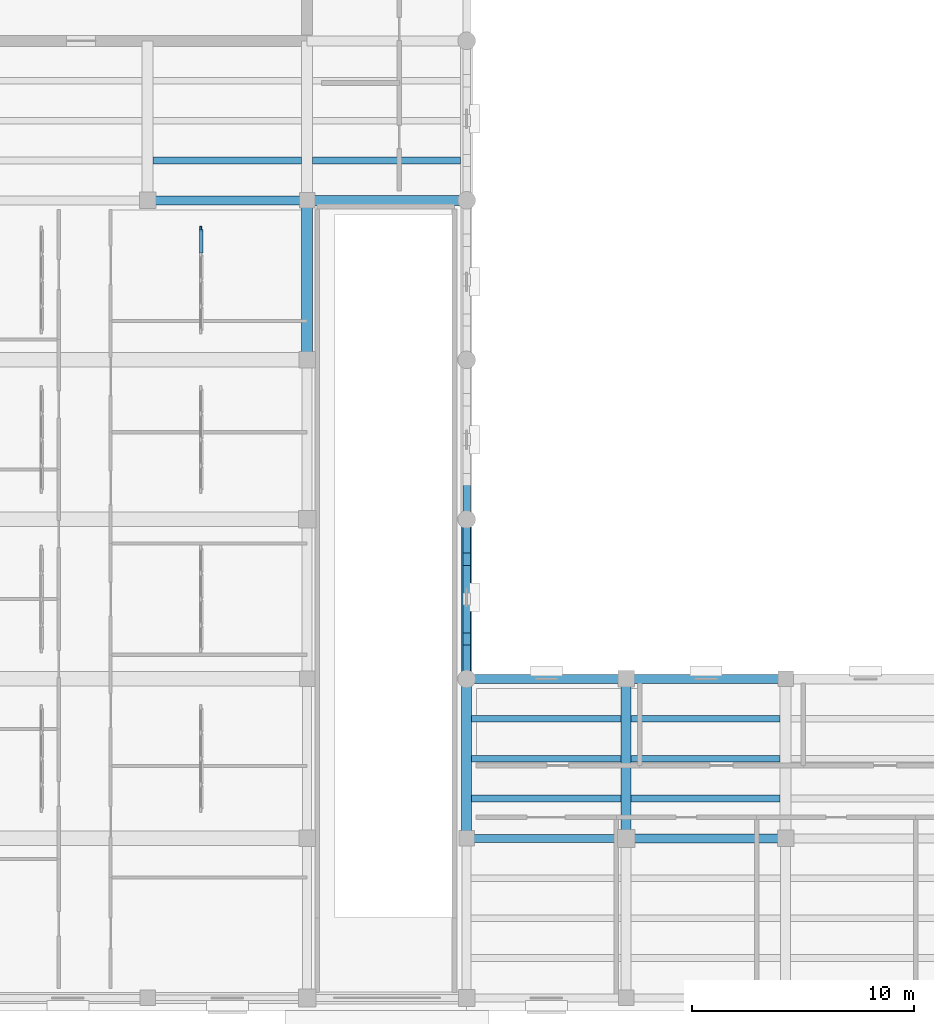
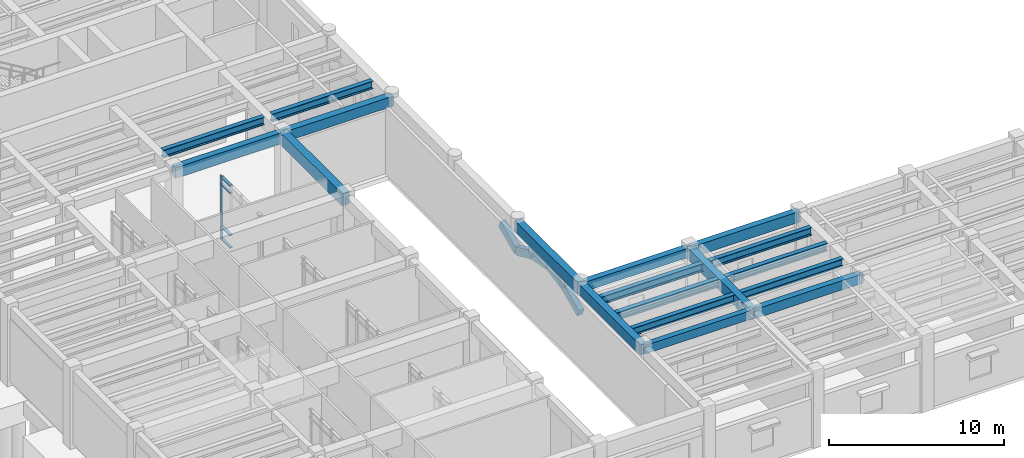
# One storey, part 12 of 100: 18 beams, 12 members, 1 element without a shape of its own.
"""IFC4 building model written with IfcOpenShell, lengths in metres."""

from ifc_helpers import new_model, si_unit, direction, frame, origin, origin_2d, place, context, subcontext, project, spatial, rectangle, i_section, extrude, material, material_profile, profile_set, type_object, element, aggregate, save


model = new_model("IFC4")

# Units and contexts
model_context = context("Model", 3, precision=1e-05, world=origin(), true_north=direction((0.0, 1.0)))
body_context = subcontext(model_context, "Body", "Model", "MODEL_VIEW")
ifc_project = project(units=[si_unit("LENGTHUNIT", "METRE"), si_unit("AREAUNIT", "SQUARE_METRE"), si_unit("VOLUMEUNIT", "CUBIC_METRE"), si_unit("PLANEANGLEUNIT", "RADIAN"), si_unit("MASSUNIT", "GRAM", prefix="KILO")], contexts=[model_context])

# Site, building, storey
site_placement = place(None, origin())
site = spatial("IfcSite", under=ifc_project, at=site_placement, CompositionType="ELEMENT")
building_placement = place(site_placement, origin())
building = spatial("IfcBuilding", under=site, at=building_placement, Name="Mithqara Police Headquarters", CompositionType="ELEMENT")
storey_placement = place(building_placement, origin())
storey = spatial("IfcBuildingStorey", under=building, at=storey_placement, Name="L00", CompositionType="ELEMENT", Elevation=0.0)

# Members
ifc_material_1 = material(Name="Concrete C50/60", Category="concrete")
ifc_material_profile_1 = material_profile(ifc_material_1, rectangle(XDim=0.35009765625, YDim=0.550048828125, at=origin_2d()), Name="ARC 350x550")
ifc_profile_set_1 = profile_set([ifc_material_profile_1], Name="Concrete C50/60")
member_type_1 = type_object("IfcMemberType", Name="ARCH SEG 350X550", PredefinedType="STRUT", material=ifc_profile_set_1)
member_1_placement = place(storey_placement, frame((29.39990234375, 35.39990234375, 2.949951171875), z_axis=(0.0, 0.911312261811, 0.411715874691), x_axis=(-1.0, 0.0, 0.0)))
element("IfcMember", 1, at=member_1_placement, inside=storey, type_object=member_type_1, Name="West Courtyard Cloister Bay 1 Ottoman Arch Chord 1", PredefinedType="STRUT", context=body_context, shape_type="SweptSolid", body=[
    extrude(rectangle(XDim=0.35009765625, YDim=0.550048828125, at=origin_2d()), origin(), (0.0, 0.0, 1.0), 1.975341796875),
])
for number, where, z_axis, x_axis, name in (
    (2, (29.39990234375, 37.199951171875, 3.76318359375), (0.0, 0.982930996603, 0.183974606715), (-1.0, 0.0, 0.0), "West Courtyard Cloister Bay 1 Ottoman Arch Chord 2"),
    (3, (29.39990234375, 39.0, 4.10009765625), (0.0, 0.982930996603, -0.183974606715), (-1.0, 0.0, 0.0), "West Courtyard Cloister Bay 1 Ottoman Arch Chord 3"),
):
    element("IfcMember", number, at=place(storey_placement, frame(where, z_axis=z_axis, x_axis=x_axis)), inside=storey, type_object=member_type_1, Name=name, PredefinedType="STRUT", context=body_context, shape_type="SweptSolid", body=[
        extrude(rectangle(XDim=0.35009765625, YDim=0.550048828125, at=origin_2d()), origin(), (0.0, 0.0, 1.0), 1.831298828125),
    ])
member_2_placement = place(storey_placement, frame((29.39990234375, 40.800048828125, 3.76318359375), z_axis=(0.0, 0.911312261811, -0.411715874691), x_axis=(-1.0, 0.0, 0.0)))
element("IfcMember", 4, at=member_2_placement, inside=storey, type_object=member_type_1, Name="West Courtyard Cloister Bay 1 Ottoman Arch Chord 4", PredefinedType="STRUT", context=body_context, shape_type="SweptSolid", body=[
    extrude(rectangle(XDim=0.35009765625, YDim=0.550048828125, at=origin_2d()), origin(), (0.0, 0.0, 1.0), 1.975341796875),
])
for number, where, z_axis, x_axis, name in (
    (5, (29.39990234375, 37.199951171875, 3.76318359375), (0.0, 0.0, 1.0), (1.0, 0.0, 0.0), "West Courtyard Cloister Bay 1 Arch Spandrel Post 1"),
    (6, (29.39990234375, 40.800048828125, 3.76318359375), (0.0, 0.0, 1.0), (1.0, 0.0, 0.0), "West Courtyard Cloister Bay 1 Arch Spandrel Post 3"),
):
    element("IfcMember", number, at=place(storey_placement, frame(where, z_axis=z_axis, x_axis=x_axis)), inside=storey, type_object=member_type_1, Name=name, PredefinedType="STRUT", context=body_context, shape_type="SweptSolid", body=[
        extrude(rectangle(XDim=0.35009765625, YDim=0.550048828125, at=origin_2d()), origin(), (0.0, 0.0, 1.0), 0.956787109375),
    ])
member_3_placement = place(storey_placement, frame((29.39990234375, 42.60009765625, 2.949951171875), z_axis=(0.0, 0.911291306622, 0.411762254796), x_axis=(-1.0, 0.0, 0.0)))
element("IfcMember", 7, at=member_3_placement, inside=storey, type_object=member_type_1, Name="West Courtyard Cloister Bay 2 Ottoman Arch Chord 1", PredefinedType="STRUT", context=body_context, shape_type="SweptSolid", body=[
    extrude(rectangle(XDim=0.35009765625, YDim=0.550048828125, at=origin_2d()), origin(), (0.0, 0.0, 1.0), 1.97509765625),
])

# Beams
ifc_material_2 = material(Name="Steel S355JR", Category="steel")
ifc_material_profile_2 = material_profile(ifc_material_2, i_section(OverallWidth=0.300048828125, OverallDepth=0.550048828125, WebThickness=0.014892578125, FlangeThickness=0.029052734375, FilletRadius=0.027099609375, at=origin_2d()), Name="HEB 550")
ifc_profile_set_2 = profile_set([ifc_material_profile_2], Name="Steel S355JR")
beam_type_1 = type_object("IfcBeamType", Name="BEAM HEB550", PredefinedType="BEAM", material=ifc_profile_set_2)
beam_1_placement = place(storey_placement, frame((15.25, 58.800048828125, 4.844970703125), z_axis=(1.0, 0.0, 0.0), x_axis=(0.0, 1.0, 0.0)))
element("IfcBeam", 8, at=beam_1_placement, inside=storey, type_object=beam_type_1, Name="L00 Composite Steel Joist 3-4/J.1", PredefinedType="BEAM", context=body_context, shape_type="SweptSolid", body=[
    extrude(i_section(OverallWidth=0.300048828125, OverallDepth=0.550048828125, WebThickness=0.014892578125, FlangeThickness=0.029052734375, FilletRadius=0.027099609375, at=origin_2d()), origin(), (0.0, 0.0, 1.0), 6.699951171875),
])
beam_2_placement = place(storey_placement, frame((22.449951171875, 58.800048828125, 4.844970703125), z_axis=(1.0, 0.0, 0.0), x_axis=(0.0, 1.0, 0.0)))
element("IfcBeam", 9, at=beam_2_placement, inside=storey, type_object=beam_type_1, Name="L00 Composite Steel Joist 4-5/J.1", PredefinedType="BEAM", context=body_context, shape_type="SweptSolid", body=[
    extrude(i_section(OverallWidth=0.300048828125, OverallDepth=0.550048828125, WebThickness=0.014892578125, FlangeThickness=0.029052734375, FilletRadius=0.027099609375, at=origin_2d()), origin(), (0.0, 0.0, 1.0), 6.675048828125),
])
for number, where, z_axis, x_axis, name in (
    (10, (29.625, 30.0, 4.844970703125), (1.0, 0.0, 0.0), (0.0, 1.0, 0.0), "L00 Composite Steel Joist 5-6/E.1"),
    (11, (29.625, 31.800048828125, 4.844970703125), (1.0, 0.0, 0.0), (0.0, 1.0, 0.0), "L00 Composite Steel Joist 5-6/E.2"),
    (12, (29.625, 33.60009765625, 4.844970703125), (1.0, 0.0, 0.0), (0.0, 1.0, 0.0), "L00 Composite Steel Joist 5-6/E.3"),
):
    element("IfcBeam", number, at=place(storey_placement, frame(where, z_axis=z_axis, x_axis=x_axis)), inside=storey, type_object=beam_type_1, Name=name, PredefinedType="BEAM", context=body_context, shape_type="SweptSolid", body=[
        extrude(i_section(OverallWidth=0.300048828125, OverallDepth=0.550048828125, WebThickness=0.014892578125, FlangeThickness=0.029052734375, FilletRadius=0.027099609375, at=origin_2d()), origin(), (0.0, 0.0, 1.0), 6.75),
    ])
for number, where, z_axis, x_axis, name in (
    (13, (36.824951171875, 30.0, 4.844970703125), (1.0, 0.0, 0.0), (0.0, 1.0, 0.0), "L00 Composite Steel Joist 6-7/E.1"),
    (14, (36.824951171875, 31.800048828125, 4.844970703125), (1.0, 0.0, 0.0), (0.0, 1.0, 0.0), "L00 Composite Steel Joist 6-7/E.2"),
    (15, (36.824951171875, 33.60009765625, 4.844970703125), (1.0, 0.0, 0.0), (0.0, 1.0, 0.0), "L00 Composite Steel Joist 6-7/E.3"),
):
    element("IfcBeam", number, at=place(storey_placement, frame(where, z_axis=z_axis, x_axis=x_axis)), inside=storey, type_object=beam_type_1, Name=name, PredefinedType="BEAM", context=body_context, shape_type="SweptSolid", body=[
        extrude(i_section(OverallWidth=0.300048828125, OverallDepth=0.550048828125, WebThickness=0.014892578125, FlangeThickness=0.029052734375, FilletRadius=0.027099609375, at=origin_2d()), origin(), (0.0, 0.0, 1.0), 6.72509765625),
    ])
ifc_material_3 = material(Name="Concrete C40/50", Category="concrete")
ifc_material_profile_3 = material_profile(ifc_material_3, rectangle(XDim=0.35009765625, YDim=0.60009765625, at=origin_2d()), Name="RC 350x600")
ifc_profile_set_3 = profile_set([ifc_material_profile_3], Name="Concrete C40/50")
beam_type_2 = type_object("IfcBeamType", Name="BEAM RC350X600", PredefinedType="BEAM", material=ifc_profile_set_3)
beam_3_placement = place(storey_placement, frame((29.39990234375, 28.199951171875, 4.820068359375), z_axis=(1.0, 0.0, 0.0), x_axis=(0.0, 1.0, 0.0)))
element("IfcBeam", 16, at=beam_3_placement, inside=storey, type_object=beam_type_2, Name="L00 Girder 5-6/E", PredefinedType="BEAM", context=body_context, shape_type="SweptSolid", body=[
    extrude(rectangle(XDim=0.35009765625, YDim=0.60009765625, at=origin_2d()), origin(), (0.0, 0.0, 1.0), 7.2001953125),
])
ifc_material_profile_4 = material_profile(ifc_material_3, rectangle(XDim=0.39990234375, YDim=0.64990234375, at=origin_2d()), Name="RC 400x650")
ifc_profile_set_4 = profile_set([ifc_material_profile_4], Name="Concrete C40/50")
beam_type_3 = type_object("IfcBeamType", Name="BEAM RC400X650", PredefinedType="BEAM", material=ifc_profile_set_4)
beam_4_placement = place(storey_placement, frame((29.39990234375, 35.39990234375, 4.794921875), z_axis=(1.0, 0.0, 0.0), x_axis=(0.0, 1.0, 0.0)))
element("IfcBeam", 17, at=beam_4_placement, inside=storey, type_object=beam_type_3, Name="L00 Girder 5-6/F", PredefinedType="BEAM", context=body_context, shape_type="SweptSolid", body=[
    extrude(rectangle(XDim=0.39990234375, YDim=0.64990234375, at=origin_2d()), origin(), (0.0, 0.0, 1.0), 7.2001953125),
])
beam_5_placement = place(storey_placement, frame((36.60009765625, 28.199951171875, 4.794921875), z_axis=(1.0, 0.0, 0.0), x_axis=(0.0, 1.0, 0.0)))
element("IfcBeam", 18, at=beam_5_placement, inside=storey, type_object=beam_type_3, Name="L00 Girder 6-7/E", PredefinedType="BEAM", context=body_context, shape_type="SweptSolid", body=[
    extrude(rectangle(XDim=0.39990234375, YDim=0.64990234375, at=origin_2d()), origin(), (0.0, 0.0, 1.0), 7.199951171875),
])
ifc_material_profile_5 = material_profile(ifc_material_3, rectangle(XDim=0.39990234375, YDim=0.75, at=origin_2d()), Name="RC 400x750")
ifc_profile_set_5 = profile_set([ifc_material_profile_5], Name="Concrete C40/50")
beam_type_4 = type_object("IfcBeamType", Name="BEAM RC400X750", PredefinedType="BEAM", material=ifc_profile_set_5)
for number, where, z_axis, x_axis, name in (
    (19, (15.0, 57.0, 4.7451171875), (1.0, 0.0, 0.0), (0.0, 1.0, 0.0), "L00 Girder 3-4/J"),
    (20, (36.60009765625, 35.39990234375, 4.7451171875), (1.0, 0.0, 0.0), (0.0, 1.0, 0.0), "L00 Girder 6-7/F"),
):
    element("IfcBeam", number, at=place(storey_placement, frame(where, z_axis=z_axis, x_axis=x_axis)), inside=storey, type_object=beam_type_4, Name=name, PredefinedType="BEAM", context=body_context, shape_type="SweptSolid", body=[
        extrude(rectangle(XDim=0.39990234375, YDim=0.75, at=origin_2d()), origin(), (0.0, 0.0, 1.0), 7.199951171875),
    ])
ifc_material_profile_6 = material_profile(ifc_material_3, rectangle(XDim=0.449951171875, YDim=0.699951171875, at=origin_2d()), Name="RC 450x700")
ifc_profile_set_6 = profile_set([ifc_material_profile_6], Name="Concrete C40/50")
beam_type_5 = type_object("IfcBeamType", Name="BEAM RC450X700", PredefinedType="BEAM", material=ifc_profile_set_6)
for number, where, z_axis, x_axis, name in (
    (21, (22.199951171875, 57.0, 4.77001953125), (1.0, 0.0, 0.0), (0.0, 1.0, 0.0), "L00 Girder 4-5/J"),
    (22, (29.39990234375, 28.199951171875, 4.77001953125), (0.0, 1.0, 0.0), (-1.0, 0.0, 0.0), "L00 Girder 5/E-F"),
):
    element("IfcBeam", number, at=place(storey_placement, frame(where, z_axis=z_axis, x_axis=x_axis)), inside=storey, type_object=beam_type_5, Name=name, PredefinedType="BEAM", context=body_context, shape_type="SweptSolid", body=[
        extrude(rectangle(XDim=0.449951171875, YDim=0.699951171875, at=origin_2d()), origin(), (0.0, 0.0, 1.0), 7.199951171875),
    ])
ifc_material_profile_7 = material_profile(ifc_material_3, rectangle(XDim=0.449951171875, YDim=0.800048828125, at=origin_2d()), Name="RC 450x800")
ifc_profile_set_7 = profile_set([ifc_material_profile_7], Name="Concrete C40/50")
beam_type_6 = type_object("IfcBeamType", Name="BEAM RC450X800", PredefinedType="BEAM", material=ifc_profile_set_7)
beam_6_placement = place(storey_placement, frame((29.39990234375, 35.39990234375, 4.719970703125), z_axis=(0.0, 1.0, 0.0), x_axis=(-1.0, 0.0, 0.0)))
element("IfcBeam", 23, at=beam_6_placement, inside=storey, type_object=beam_type_6, Name="L00 Girder 5/F-G", PredefinedType="BEAM", context=body_context, shape_type="SweptSolid", body=[
    extrude(rectangle(XDim=0.449951171875, YDim=0.800048828125, at=origin_2d()), origin(), (0.0, 0.0, 1.0), 7.2001953125),
])
beam_7_placement = place(storey_placement, frame((36.60009765625, 28.199951171875, 4.719970703125), z_axis=(0.0, 1.0, 0.0), x_axis=(-1.0, 0.0, 0.0)))
element("IfcBeam", 24, at=beam_7_placement, inside=storey, type_object=beam_type_6, Name="L00 Girder 6/E-F", PredefinedType="BEAM", context=body_context, shape_type="SweptSolid", body=[
    extrude(rectangle(XDim=0.449951171875, YDim=0.800048828125, at=origin_2d()), origin(), (0.0, 0.0, 1.0), 7.199951171875),
])
ifc_material_profile_8 = material_profile(ifc_material_3, rectangle(XDim=0.5, YDim=0.85009765625, at=origin_2d()), Name="RC 500x850")
ifc_profile_set_8 = profile_set([ifc_material_profile_8], Name="Concrete C40/50")
beam_type_7 = type_object("IfcBeamType", Name="BEAM RC500X850", PredefinedType="BEAM", material=ifc_profile_set_8)
beam_8_placement = place(storey_placement, frame((22.199951171875, 49.800048828125, 4.695068359375), z_axis=(0.0, 1.0, 0.0), x_axis=(-1.0, 0.0, 0.0)))
element("IfcBeam", 25, at=beam_8_placement, inside=storey, type_object=beam_type_7, Name="L00 Girder 4/H-J", PredefinedType="BEAM", context=body_context, shape_type="SweptSolid", body=[
    extrude(rectangle(XDim=0.5, YDim=0.85009765625, at=origin_2d()), origin(), (0.0, 0.0, 1.0), 7.199951171875),
])

# Curtain wall, members
ifc_material_4 = material(Name="Bronze anodised aluminium 6063-T6", Category="aluminium")
curtain_wall_type = type_object("IfcCurtainWallType", Name="CURTAIN WALL 4700X4400", PredefinedType="USERDEFINED", material=ifc_material_4)
curtain_wall_placement = place(storey_placement, origin())
curtain_wall = element("IfcCurtainWall", 26, at=curtain_wall_placement, inside=storey, type_object=curtain_wall_type, Name="L00 Unitised Glazing CW-14 (CW-INT-L00-X02-Y07-0)", ObjectType="UNITISED GLAZING", PredefinedType="USERDEFINED")
ifc_material_profile_9 = material_profile(ifc_material_4, rectangle(XDim=0.074951171875, YDim=0.219970703125, at=origin_2d()), Name="CWM 75x220")
ifc_profile_set_9 = profile_set([ifc_material_profile_9], Name="Bronze anodised aluminium 6063-T6")
member_type_2 = type_object("IfcMemberType", Name="CWMULLION 75X220", PredefinedType="MULLION", material=ifc_profile_set_9)
member_4_placement = place(storey_placement, frame((17.39990234375, 55.71240234375, 0.0), z_axis=(0.0, 0.0, 1.0), x_axis=(-1.0, 0.0, 0.0)))
member_4 = element("IfcMember", 27, at=member_4_placement, type_object=member_type_2, Name="CW-14 mullion 5", PredefinedType="MULLION", context=body_context, shape_type="SweptSolid", body=[
    extrude(rectangle(XDim=0.074951171875, YDim=0.219970703125, at=origin_2d()), origin(), (0.0, 0.0, 1.0), 4.39990234375),
])
ifc_material_profile_10 = material_profile(ifc_material_4, rectangle(XDim=0.179931640625, YDim=0.074951171875, at=origin_2d()), Name="CWT 180x75")
ifc_profile_set_10 = profile_set([ifc_material_profile_10], Name="Bronze anodised aluminium 6063-T6")
member_type_3 = type_object("IfcMemberType", Name="CWTRANSOM 180X75", PredefinedType="USERDEFINED", material=ifc_profile_set_10)
member_5_placement = place(storey_placement, frame((17.39990234375, 54.612548828125, 0.03759765625), z_axis=(0.0, 1.0, 0.0), x_axis=(-1.0, 0.0, 0.0)))
member_5 = element("IfcMember", 28, at=member_5_placement, type_object=member_type_3, Name="CW-14 transom 4.1", ObjectType="TRANSOM", PredefinedType="USERDEFINED", context=body_context, shape_type="SweptSolid", body=[
    extrude(rectangle(XDim=0.179931640625, YDim=0.074951171875, at=origin_2d()), origin(), (0.0, 0.0, 1.0), 1.0625),
])
member_6_placement = place(storey_placement, frame((17.39990234375, 54.612548828125, 0.89990234375), z_axis=(0.0, 1.0, 0.0), x_axis=(-1.0, 0.0, 0.0)))
member_6 = element("IfcMember", 29, at=member_6_placement, type_object=member_type_3, Name="CW-14 transom 4.2", ObjectType="TRANSOM", PredefinedType="USERDEFINED", context=body_context, shape_type="SweptSolid", body=[
    extrude(rectangle(XDim=0.179931640625, YDim=0.074951171875, at=origin_2d()), origin(), (0.0, 0.0, 1.0), 1.0625),
])
member_7_placement = place(storey_placement, frame((17.39990234375, 54.612548828125, 3.85009765625), z_axis=(0.0, 1.0, 0.0), x_axis=(-1.0, 0.0, 0.0)))
member_7 = element("IfcMember", 30, at=member_7_placement, type_object=member_type_3, Name="CW-14 transom 4.3", ObjectType="TRANSOM", PredefinedType="USERDEFINED", context=body_context, shape_type="SweptSolid", body=[
    extrude(rectangle(XDim=0.179931640625, YDim=0.074951171875, at=origin_2d()), origin(), (0.0, 0.0, 1.0), 1.0625),
])
member_8_placement = place(storey_placement, frame((17.39990234375, 54.612548828125, 4.362548828125), z_axis=(0.0, 1.0, 0.0), x_axis=(-1.0, 0.0, 0.0)))
member_8 = element("IfcMember", 31, at=member_8_placement, type_object=member_type_3, Name="CW-14 transom 4.4", ObjectType="TRANSOM", PredefinedType="USERDEFINED", context=body_context, shape_type="SweptSolid", body=[
    extrude(rectangle(XDim=0.179931640625, YDim=0.074951171875, at=origin_2d()), origin(), (0.0, 0.0, 1.0), 1.0625),
])
aggregate(curtain_wall, [member_4, member_5, member_6, member_7, member_8])

save(model, "model.ifc")
